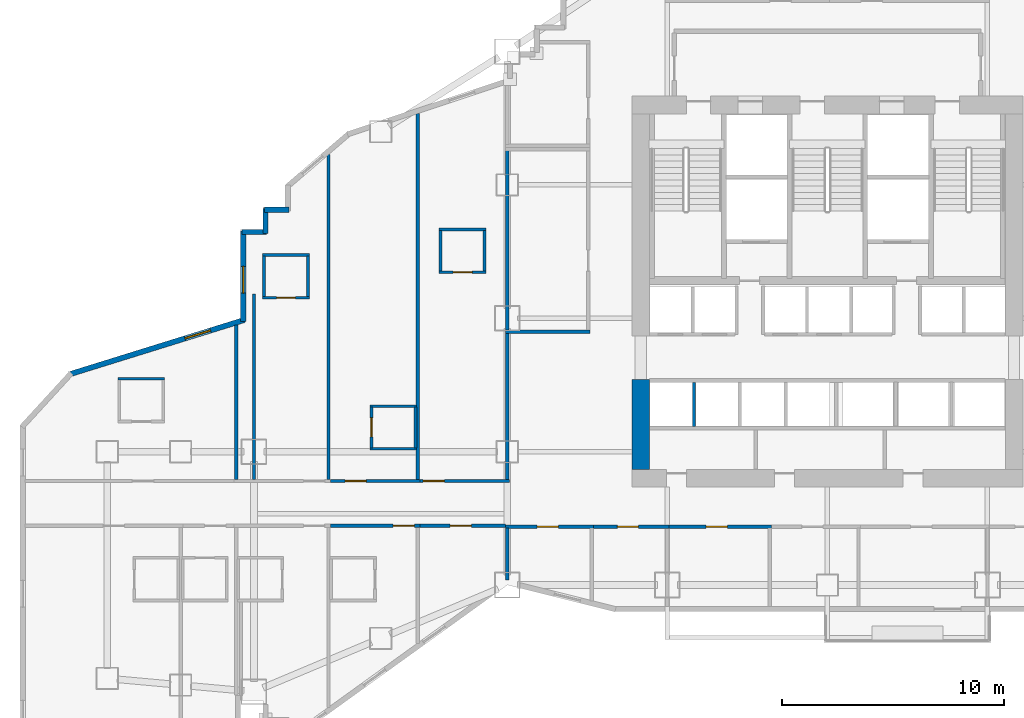
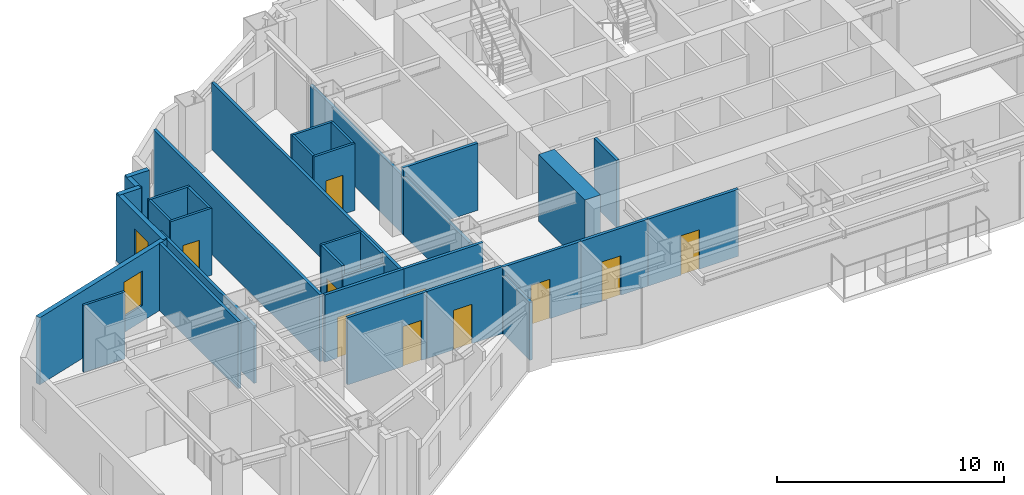
# One storey, part 6 of 16: 35 walls, 10 doors, 2 windows, 12 openings.
"""IFC4 building model written with IfcOpenShell, lengths in metres."""

from ifc_helpers import new_model, si_unit, direction, frame, frame_2d, origin, place, context, subcontext, project, spatial, rectangle, extrude, material, layer, layer_set, type_object, element, fill, save


model = new_model("IFC4")

# Units and contexts
model_context = context("Model", 3, precision=1e-05, world=origin(), true_north=direction((0.0, 1.0)))
body_context = subcontext(model_context, "Body", "Model", "MODEL_VIEW")
ifc_project = project(units=[si_unit("LENGTHUNIT", "METRE"), si_unit("AREAUNIT", "SQUARE_METRE"), si_unit("VOLUMEUNIT", "CUBIC_METRE"), si_unit("PLANEANGLEUNIT", "RADIAN"), si_unit("MASSUNIT", "GRAM", prefix="KILO")], contexts=[model_context])

# Site, building, storey
site_placement = place(None, origin())
site = spatial("IfcSite", under=ifc_project, at=site_placement, CompositionType="ELEMENT")
building_placement = place(site_placement, origin())
building = spatial("IfcBuilding", under=site, at=building_placement, Name="Haolan Belvedere Tower", CompositionType="ELEMENT")
storey_placement = place(building_placement, frame((0.0, 0.0, 47.60009765625)))
storey = spatial("IfcBuildingStorey", under=building, at=storey_placement, Name="L11", CompositionType="ELEMENT", Elevation=47.60009765625)

# Walls
ifc_material_1 = material(Name="Concrete C70/85", Category="concrete")
ifc_layer_1 = layer(ifc_material_1, 0.800048828125, Name="Concrete C70/85")
ifc_layer_set_1 = layer_set([ifc_layer_1], Name="Concrete C70/85")
wall_type_1 = type_object("IfcWallType", Name="WL-CORE-800", PredefinedType="SHEAR", material=ifc_layer_set_1)
wall_1_placement = place(storey_placement, frame((30.0, 26.800048828125, 0.0), z_axis=(0.0, 0.0, 1.0), x_axis=(0.0, 1.0, 0.0)))
element("IfcWall", 1, at=wall_1_placement, inside=storey, type_object=wall_type_1, Name="L11 central core shear wall WS", PredefinedType="SHEAR", context=body_context, shape_type="SweptSolid", body=[
    extrude(rectangle(XDim=4.050048828125, YDim=0.800048828125, at=frame_2d((2.02490234375, 0.0))), origin(), (0.0, 0.0, 1.0), 3.599853515625),
])
ifc_material_2 = material(Name="Precast concrete C40/50", Category="concrete")
ifc_layer_2 = layer(ifc_material_2, 0.239990234375, Name="Precast concrete C40/50")
ifc_layer_set_2 = layer_set([ifc_layer_2], Name="Precast concrete C40/50")
wall_type_2 = type_object("IfcWallType", Name="WL-EXT-240", PredefinedType="SOLIDWALL", material=ifc_layer_set_2)
wall_2_placement = place(storey_placement, frame((14.175048828125, 38.47998046875, 0.0), z_axis=(0.0, 0.0, 1.0), x_axis=(-1.0, 0.0, 0.0)))
element("IfcWall", 2, at=wall_2_placement, inside=storey, type_object=wall_type_2, Name="L11 pale-metal exterior spandrel wall 53.1", PredefinedType="SOLIDWALL", context=body_context, shape_type="SweptSolid", body=[
    extrude(rectangle(XDim=1.110107421875, YDim=0.239990234375, at=frame_2d((0.55517578125, 0.0))), origin(), (0.0, 0.0, 1.0), 3.599853515625),
])
wall_3_placement = place(storey_placement, frame((13.1201171875, 38.534912109375, 0.0), z_axis=(0.0, 0.0, 1.0), x_axis=(0.0, -1.0, 0.0)))
element("IfcWall", 3, at=wall_3_placement, inside=storey, type_object=wall_type_2, Name="L11 pale-metal exterior spandrel wall 54.1", PredefinedType="SOLIDWALL", context=body_context, shape_type="SweptSolid", body=[
    extrude(rectangle(XDim=1.10986328125, YDim=0.239990234375, at=frame_2d((0.554931640625, 0.0))), origin(), (0.0, 0.0, 1.0), 3.599853515625),
])
wall_4_placement = place(storey_placement, frame((13.175048828125, 37.47998046875, 0.0), z_axis=(0.0, 0.0, 1.0), x_axis=(-1.0, 0.0, 0.0)))
element("IfcWall", 4, at=wall_4_placement, inside=storey, type_object=wall_type_2, Name="L11 pale-metal exterior spandrel wall 55.1", PredefinedType="SOLIDWALL", context=body_context, shape_type="SweptSolid", body=[
    extrude(rectangle(XDim=1.110107421875, YDim=0.239990234375, at=frame_2d((0.55517578125, 0.0))), origin(), (0.0, 0.0, 1.0), 3.599853515625),
])

# Wall, opening, window
wall_5_placement = place(storey_placement, frame((12.1201171875, 37.534912109375, 0.0), z_axis=(0.0, 0.0, 1.0), x_axis=(0.0, -1.0, 0.0)))
wall_5 = element("IfcWall", 5, at=wall_5_placement, inside=storey, type_object=wall_type_2, Name="L11 pale-metal exterior spandrel wall 56.1", PredefinedType="SOLIDWALL", context=body_context, shape_type="SweptSolid", body=[
    extrude(rectangle(XDim=4.078369140625, YDim=0.239990234375, at=frame_2d((2.0390625, 0.0))), origin(), (0.0, 0.0, 1.0), 3.599853515625),
])
opening_1_placement = place(wall_5_placement, frame((1.60009765625, 0.0, 0.85009765625)))
opening_1 = element("IfcOpeningElement", 6, at=opening_1_placement, cuts=wall_5, Name="Opening W-01", PredefinedType="OPENING", context=body_context, shape_type="SweptSolid", body=[
    extrude(rectangle(XDim=1.199951171875, YDim=1.85009765625, at=frame_2d((0.60009765625, 0.925048828125))), frame((0.0, 0.1298828125, 0.0), z_axis=(0.0, -1.0, 0.0), x_axis=(1.0, 0.0, 0.0)), (0.0, 0.0, 1.0), 0.260009765625),
])
ifc_material_3 = material(Name="Anodised aluminium 6063-T6 and Low-E glass", Category="aluminium")
window_type = type_object("IfcWindowType", Name="WN-DECO-Z1", PartitioningType="SINGLE_PANEL", PredefinedType="WINDOW", material=ifc_material_3)
window_1_placement = place(opening_1_placement, origin())
window_1 = element("IfcWindow", 7, at=window_1_placement, inside=storey, type_object=window_type, Name="L11 Art Deco chevron window 1", OverallHeight=1.85009765625, OverallWidth=1.199951171875, PartitioningType="SINGLE_PANEL", PredefinedType="WINDOW", context=body_context, shape_type="SweptSolid", body=[
    extrude(rectangle(XDim=1.199951171875, YDim=1.85009765625, at=frame_2d((0.60009765625, 0.925048828125))), frame((0.0, 0.030029296875, 0.0), z_axis=(0.0, -1.0, 0.0), x_axis=(1.0, 0.0, 0.0)), (0.0, 0.0, 1.0), 0.06005859375),
])
fill(opening_1, window_1)

wall_6_placement = place(storey_placement, frame((12.172607421875, 33.52783203125, 0.0), z_axis=(0.0, 0.0, 1.0), x_axis=(-0.954920174609, -0.296862695745, 0.0)))
wall_6 = element("IfcWall", 8, at=wall_6_placement, inside=storey, type_object=wall_type_2, Name="L11 pale-metal exterior spandrel wall 57.1", PredefinedType="SOLIDWALL", context=body_context, shape_type="SweptSolid", body=[
    extrude(rectangle(XDim=8.250244140625, YDim=0.239990234375, at=frame_2d((4.125, 0.0))), origin(), (0.0, 0.0, 1.0), 3.599853515625),
])
opening_2_placement = place(wall_6_placement, frame((1.60009765625, 0.0, 0.85009765625)))
opening_2 = element("IfcOpeningElement", 9, at=opening_2_placement, cuts=wall_6, Name="Opening W-01", PredefinedType="OPENING", context=body_context, shape_type="SweptSolid", body=[
    extrude(rectangle(XDim=1.199951171875, YDim=1.85009765625, at=frame_2d((0.60009765625, 0.925048828125))), frame((0.0, 0.1298828125, 0.0), z_axis=(0.0, -1.0, 0.0), x_axis=(1.0, 0.0, 0.0)), (0.0, 0.0, 1.0), 0.260009765625),
])
window_2_placement = place(opening_2_placement, origin())
window_2 = element("IfcWindow", 10, at=window_2_placement, inside=storey, type_object=window_type, Name="L11 Art Deco chevron window 1", OverallHeight=1.85009765625, OverallWidth=1.199951171875, PartitioningType="SINGLE_PANEL", PredefinedType="WINDOW", context=body_context, shape_type="SweptSolid", body=[
    extrude(rectangle(XDim=1.199951171875, YDim=1.85009765625, at=frame_2d((0.60009765625, 0.925048828125))), frame((0.0, 0.030029296875, 0.0), z_axis=(0.0, -1.0, 0.0), x_axis=(1.0, 0.0, 0.0)), (0.0, 0.0, 1.0), 0.06005859375),
])
fill(opening_2, window_2)

# Walls
ifc_material_4 = material(Name="Double gypsum acoustic stud partition", Category="masonry")
ifc_layer_3 = layer(ifc_material_4, 0.14990234375, Name="Double gypsum acoustic stud partition")
ifc_layer_set_3 = layer_set([ifc_layer_3], Name="Double gypsum acoustic stud partition")
wall_type_3 = type_object("IfcWallType", Name="WL-PART-150", PredefinedType="PARTITIONING", material=ifc_layer_set_3)
wall_7_placement = place(storey_placement, frame((23.919921875, 33.0, 0.0), z_axis=(0.0, 0.0, 1.0), x_axis=(1.0, 0.0, 0.0)))
element("IfcWall", 11, at=wall_7_placement, inside=storey, type_object=wall_type_3, Name="L11 interior partition IW-L11-SAL-S", PredefinedType="PARTITIONING", context=body_context, shape_type="SweptSolid", body=[
    extrude(rectangle(XDim=3.800048828125, YDim=0.14990234375, at=frame_2d((1.89990234375, 0.0))), origin(), (0.0, 0.0, 1.0), 3.599853515625),
])
wall_8_placement = place(storey_placement, frame((24.0, 33.06005859375, 0.0), z_axis=(0.0, 0.0, 1.0), x_axis=(0.0, 1.0, 0.0)))
element("IfcWall", 12, at=wall_8_placement, inside=storey, type_object=wall_type_3, Name="L11 interior partition IW-L11-SAL-W", PredefinedType="PARTITIONING", context=body_context, shape_type="SweptSolid", body=[
    extrude(rectangle(XDim=8.079833984375, YDim=0.14990234375, at=frame_2d((4.0400390625, 0.0))), origin(), (0.0, 0.0, 1.0), 3.096923828125),
])

# Wall, opening, door
wall_9_placement = place(storey_placement, frame((23.919921875, 24.219970703125, 0.0), z_axis=(0.0, 0.0, 1.0), x_axis=(1.0, 0.0, 0.0)))
wall_9 = element("IfcWall", 13, at=wall_9_placement, inside=storey, type_object=wall_type_3, Name="L11 interior partition IW-L11-KS1-N", PredefinedType="PARTITIONING", context=body_context, shape_type="SweptSolid", body=[
    extrude(rectangle(XDim=3.9599609375, YDim=0.14990234375, at=frame_2d((1.97998046875, 0.0))), origin(), (0.0, 0.0, 1.0), 3.599853515625),
])
opening_3_placement = place(wall_9_placement, frame((2.375, 0.0, 0.0), z_axis=(0.0, 0.0, 1.0), x_axis=(-1.0, 0.0, 0.0)))
opening_3 = element("IfcOpeningElement", 14, at=opening_3_placement, cuts=wall_9, Name="Opening ID-03", PredefinedType="OPENING", context=body_context, shape_type="SweptSolid", body=[
    extrude(rectangle(XDim=0.949951171875, YDim=2.1201171875, at=frame_2d((0.47509765625, 1.06005859375))), frame((0.0, 0.0849609375, 0.0), z_axis=(0.0, -1.0, 0.0), x_axis=(1.0, 0.0, 0.0)), (0.0, 0.0, 1.0), 0.169921875),
])
ifc_material_5 = material(Name="Painted solid-core timber", Category="wood")
door_type_1 = type_object("IfcDoorType", Name="DR-INT-950", OperationType="NOTDEFINED", PredefinedType="DOOR", material=ifc_material_5)
door_1_placement = place(opening_3_placement, origin())
door_1 = element("IfcDoor", 15, at=door_1_placement, inside=storey, type_object=door_type_1, Name="L11 door ID-L11-KS1", OperationType="SINGLE_SWING_LEFT", OverallHeight=2.1201171875, OverallWidth=0.949951171875, PredefinedType="DOOR", context=body_context, shape_type="SweptSolid", body=[
    extrude(rectangle(XDim=0.949951171875, YDim=2.1201171875, at=frame_2d((0.47509765625, 1.06005859375))), frame((0.0, 0.02490234375, 0.0), z_axis=(0.0, -1.0, 0.0), x_axis=(1.0, 0.0, 0.0)), (0.0, 0.0, 1.0), 0.050048828125),
])
fill(opening_3, door_1)

# Wall
wall_10_placement = place(storey_placement, frame((24.0, 21.818603515625, 0.0), z_axis=(0.0, 0.0, 1.0), x_axis=(0.0, 1.0, 0.0)))
element("IfcWall", 16, at=wall_10_placement, inside=storey, type_object=wall_type_3, Name="L11 interior partition IW-L11-KS1-W", PredefinedType="PARTITIONING", context=body_context, shape_type="SweptSolid", body=[
    extrude(rectangle(XDim=2.34130859375, YDim=0.14990234375, at=frame_2d((1.170654296875, 0.0))), origin(), (0.0, 0.0, 1.0), 3.096923828125),
])

# Wall, opening, door
wall_11_placement = place(storey_placement, frame((27.882080078125, 24.219970703125, 0.0), z_axis=(0.0, 0.0, 1.0), x_axis=(1.0, 0.0, 0.0)))
wall_11 = element("IfcWall", 17, at=wall_11_placement, inside=storey, type_object=wall_type_3, Name="L11 interior partition IW-L11-KS2-N", PredefinedType="PARTITIONING", context=body_context, shape_type="SweptSolid", body=[
    extrude(rectangle(XDim=3.39794921875, YDim=0.14990234375, at=frame_2d((1.698974609375, 0.0))), origin(), (0.0, 0.0, 1.0), 3.599853515625),
])
opening_4_placement = place(wall_11_placement, frame((2.012939453125, 0.0, 0.0), z_axis=(0.0, 0.0, 1.0), x_axis=(-1.0, 0.0, 0.0)))
opening_4 = element("IfcOpeningElement", 18, at=opening_4_placement, cuts=wall_11, Name="Opening ID-03", PredefinedType="OPENING", context=body_context, shape_type="SweptSolid", body=[
    extrude(rectangle(XDim=0.949951171875, YDim=2.1201171875, at=frame_2d((0.47509765625, 1.06005859375))), frame((0.0, 0.0849609375, 0.0), z_axis=(0.0, -1.0, 0.0), x_axis=(1.0, 0.0, 0.0)), (0.0, 0.0, 1.0), 0.169921875),
])
door_2_placement = place(opening_4_placement, origin())
door_2 = element("IfcDoor", 19, at=door_2_placement, inside=storey, type_object=door_type_1, Name="L11 door ID-L11-KS2", OperationType="SINGLE_SWING_RIGHT", OverallHeight=2.1201171875, OverallWidth=0.949951171875, PredefinedType="DOOR", context=body_context, shape_type="SweptSolid", body=[
    extrude(rectangle(XDim=0.949951171875, YDim=2.1201171875, at=frame_2d((0.47509765625, 1.06005859375))), frame((0.0, 0.02490234375, 0.0), z_axis=(0.0, -1.0, 0.0), x_axis=(1.0, 0.0, 0.0)), (0.0, 0.0, 1.0), 0.050048828125),
])
fill(opening_4, door_2)

wall_12_placement = place(storey_placement, frame((31.281982421875, 24.219970703125, 0.0), z_axis=(0.0, 0.0, 1.0), x_axis=(1.0, 0.0, 0.0)))
wall_12 = element("IfcWall", 20, at=wall_12_placement, inside=storey, type_object=wall_type_3, Name="L11 interior partition IW-L11-KS3-N", PredefinedType="PARTITIONING", context=body_context, shape_type="SweptSolid", body=[
    extrude(rectangle(XDim=4.597900390625, YDim=0.14990234375, at=frame_2d((2.298828125, 0.0))), origin(), (0.0, 0.0, 1.0), 3.599853515625),
])
opening_5_placement = place(wall_12_placement, frame((2.613037109375, 0.0, 0.0), z_axis=(0.0, 0.0, 1.0), x_axis=(-1.0, 0.0, 0.0)))
opening_5 = element("IfcOpeningElement", 21, at=opening_5_placement, cuts=wall_12, Name="Opening ID-03", PredefinedType="OPENING", context=body_context, shape_type="SweptSolid", body=[
    extrude(rectangle(XDim=0.949951171875, YDim=2.1201171875, at=frame_2d((0.47509765625, 1.06005859375))), frame((0.0, 0.0849609375, 0.0), z_axis=(0.0, -1.0, 0.0), x_axis=(1.0, 0.0, 0.0)), (0.0, 0.0, 1.0), 0.169921875),
])
door_3_placement = place(opening_5_placement, origin())
door_3 = element("IfcDoor", 22, at=door_3_placement, inside=storey, type_object=door_type_1, Name="L11 door ID-L11-KS3", OperationType="SINGLE_SWING_LEFT", OverallHeight=2.1201171875, OverallWidth=0.949951171875, PredefinedType="DOOR", context=body_context, shape_type="SweptSolid", body=[
    extrude(rectangle(XDim=0.949951171875, YDim=2.1201171875, at=frame_2d((0.47509765625, 1.06005859375))), frame((0.0, 0.02490234375, 0.0), z_axis=(0.0, -1.0, 0.0), x_axis=(1.0, 0.0, 0.0)), (0.0, 0.0, 1.0), 0.050048828125),
])
fill(opening_5, door_3)

# Walls
wall_13_placement = place(storey_placement, frame((11.800048828125, 26.340087890625, 0.0), z_axis=(0.0, 0.0, 1.0), x_axis=(0.0, 1.0, 0.0)))
element("IfcWall", 23, at=wall_13_placement, inside=storey, type_object=wall_type_3, Name="L11 interior partition IW-L11-T2N1-W", PredefinedType="PARTITIONING", context=body_context, shape_type="SweptSolid", body=[
    extrude(rectangle(XDim=6.9619140625, YDim=0.14990234375, at=frame_2d((3.48095703125, 0.0))), origin(), (0.0, 0.0, 1.0), 3.599853515625),
])
wall_14_placement = place(storey_placement, frame((15.949951171875, 26.340087890625, 0.0), z_axis=(0.0, 0.0, 1.0), x_axis=(0.0, 1.0, 0.0)))
element("IfcWall", 24, at=wall_14_placement, inside=storey, type_object=wall_type_3, Name="L11 interior partition IW-L11-T2N1-E", PredefinedType="PARTITIONING", context=body_context, shape_type="SweptSolid", body=[
    extrude(rectangle(XDim=14.635009765625, YDim=0.14990234375, at=frame_2d((7.3173828125, 0.0))), origin(), (0.0, 0.0, 1.0), 3.599853515625),
])

# Wall, opening, door
wall_15_placement = place(storey_placement, frame((16.052001953125, 26.280029296875, 0.0), z_axis=(0.0, 0.0, 1.0), x_axis=(1.0, 0.0, 0.0)))
wall_15 = element("IfcWall", 25, at=wall_15_placement, inside=storey, type_object=wall_type_3, Name="L11 interior partition IW-L11-T2N2-S", PredefinedType="PARTITIONING", context=body_context, shape_type="SweptSolid", body=[
    extrude(rectangle(XDim=4.01806640625, YDim=0.14990234375, at=frame_2d((2.009033203125, 0.0))), origin(), (0.0, 0.0, 1.0), 3.599853515625),
])
opening_6_placement = place(wall_15_placement, frame((0.6494140625, 0.0, 0.0)))
opening_6 = element("IfcOpeningElement", 26, at=opening_6_placement, cuts=wall_15, Name="Opening ID-01", PredefinedType="OPENING", context=body_context, shape_type="SweptSolid", body=[
    extrude(rectangle(XDim=0.949951171875, YDim=2.179931640625, at=frame_2d((0.47509765625, 1.08984375))), frame((0.0, 0.0849609375, 0.0), z_axis=(0.0, -1.0, 0.0), x_axis=(1.0, 0.0, 0.0)), (0.0, 0.0, 1.0), 0.169921875),
])
ifc_material_6 = material(Name="Acoustic walnut veneer fire-rated timber", Category="wood")
door_type_2 = type_object("IfcDoorType", Name="DR-SUITE-950", OperationType="NOTDEFINED", PredefinedType="DOOR", material=ifc_material_6)
door_4_placement = place(opening_6_placement, origin())
door_4 = element("IfcDoor", 27, at=door_4_placement, inside=storey, type_object=door_type_2, Name="L11 door ID-L11-T2N2-ENT", OperationType="SINGLE_SWING_LEFT", OverallHeight=2.179931640625, OverallWidth=0.949951171875, PredefinedType="DOOR", context=body_context, shape_type="SweptSolid", body=[
    extrude(rectangle(XDim=0.949951171875, YDim=2.179931640625, at=frame_2d((0.47509765625, 1.08984375))), frame((0.0, 0.02490234375, 0.0), z_axis=(0.0, -1.0, 0.0), x_axis=(1.0, 0.0, 0.0)), (0.0, 0.0, 1.0), 0.050048828125),
])
fill(opening_6, door_4)

# Wall
wall_16_placement = place(storey_placement, frame((19.969970703125, 26.340087890625, 0.0), z_axis=(0.0, 0.0, 1.0), x_axis=(0.0, 1.0, 0.0)))
element("IfcWall", 28, at=wall_16_placement, inside=storey, type_object=wall_type_3, Name="L11 interior partition IW-L11-T2N2-E", PredefinedType="PARTITIONING", context=body_context, shape_type="SweptSolid", body=[
    extrude(rectangle(XDim=16.4794921875, YDim=0.14990234375, at=frame_2d((8.23974609375, 0.0))), origin(), (0.0, 0.0, 1.0), 3.599853515625),
])

# Wall, opening, door
wall_17_placement = place(storey_placement, frame((20.072021484375, 26.280029296875, 0.0), z_axis=(0.0, 0.0, 1.0), x_axis=(1.0, 0.0, 0.0)))
wall_17 = element("IfcWall", 29, at=wall_17_placement, inside=storey, type_object=wall_type_3, Name="L11 interior partition IW-L11-T2N3-S", PredefinedType="PARTITIONING", context=body_context, shape_type="SweptSolid", body=[
    extrude(rectangle(XDim=4.028076171875, YDim=0.14990234375, at=frame_2d((2.01416015625, 0.0))), origin(), (0.0, 0.0, 1.0), 3.599853515625),
])
opening_7_placement = place(wall_17_placement, frame((0.139892578125, 0.0, 0.0)))
opening_7 = element("IfcOpeningElement", 30, at=opening_7_placement, cuts=wall_17, Name="Opening ID-01", PredefinedType="OPENING", context=body_context, shape_type="SweptSolid", body=[
    extrude(rectangle(XDim=0.949951171875, YDim=2.179931640625, at=frame_2d((0.47509765625, 1.08984375))), frame((0.0, 0.0849609375, 0.0), z_axis=(0.0, -1.0, 0.0), x_axis=(1.0, 0.0, 0.0)), (0.0, 0.0, 1.0), 0.169921875),
])
door_5_placement = place(opening_7_placement, origin())
door_5 = element("IfcDoor", 31, at=door_5_placement, inside=storey, type_object=door_type_2, Name="L11 door ID-L11-T2N3-ENT", OperationType="SINGLE_SWING_RIGHT", OverallHeight=2.179931640625, OverallWidth=0.949951171875, PredefinedType="DOOR", context=body_context, shape_type="SweptSolid", body=[
    extrude(rectangle(XDim=0.949951171875, YDim=2.179931640625, at=frame_2d((0.47509765625, 1.08984375))), frame((0.0, 0.02490234375, 0.0), z_axis=(0.0, -1.0, 0.0), x_axis=(1.0, 0.0, 0.0)), (0.0, 0.0, 1.0), 0.050048828125),
])
fill(opening_7, door_5)

# Wall
wall_18_placement = place(storey_placement, frame((24.0, 26.340087890625, 0.0), z_axis=(0.0, 0.0, 1.0), x_axis=(0.0, 1.0, 0.0)))
element("IfcWall", 32, at=wall_18_placement, inside=storey, type_object=wall_type_3, Name="L11 interior partition IW-L11-T2N3-E", PredefinedType="PARTITIONING", context=body_context, shape_type="SweptSolid", body=[
    extrude(rectangle(XDim=6.599853515625, YDim=0.14990234375, at=frame_2d((3.2998046875, 0.0))), origin(), (0.0, 0.0, 1.0), 3.096923828125),
])

# Wall, opening, door
wall_19_placement = place(storey_placement, frame((16.052001953125, 24.27001953125, 0.0), z_axis=(0.0, 0.0, 1.0), x_axis=(1.0, 0.0, 0.0)))
wall_19 = element("IfcWall", 33, at=wall_19_placement, inside=storey, type_object=wall_type_3, Name="L11 interior partition IW-L11-T2S2-N", PredefinedType="PARTITIONING", context=body_context, shape_type="SweptSolid", body=[
    extrude(rectangle(XDim=4.01806640625, YDim=0.14990234375, at=frame_2d((2.009033203125, 0.0))), origin(), (0.0, 0.0, 1.0), 3.599853515625),
])
opening_8_placement = place(wall_19_placement, frame((3.759765625, 0.0, 0.0), z_axis=(0.0, 0.0, 1.0), x_axis=(-1.0, 0.0, 0.0)))
opening_8 = element("IfcOpeningElement", 34, at=opening_8_placement, cuts=wall_19, Name="Opening ID-02", PredefinedType="OPENING", context=body_context, shape_type="SweptSolid", body=[
    extrude(rectangle(XDim=0.949951171875, YDim=2.14990234375, at=frame_2d((0.47509765625, 1.074951171875))), frame((0.0, 0.0849609375, 0.0), z_axis=(0.0, -1.0, 0.0), x_axis=(1.0, 0.0, 0.0)), (0.0, 0.0, 1.0), 0.169921875),
])
ifc_material_7 = material(Name="Acoustic oak veneer fire-rated timber", Category="wood")
door_type_3 = type_object("IfcDoorType", Name="DR-GUEST-950", OperationType="NOTDEFINED", PredefinedType="DOOR", material=ifc_material_7)
door_6_placement = place(opening_8_placement, origin())
door_6 = element("IfcDoor", 35, at=door_6_placement, inside=storey, type_object=door_type_3, Name="L11 door ID-L11-T2S2-ENT", OperationType="SINGLE_SWING_RIGHT", OverallHeight=2.14990234375, OverallWidth=0.949951171875, PredefinedType="DOOR", context=body_context, shape_type="SweptSolid", body=[
    extrude(rectangle(XDim=0.949951171875, YDim=2.14990234375, at=frame_2d((0.47509765625, 1.074951171875))), frame((0.0, 0.02490234375, 0.0), z_axis=(0.0, -1.0, 0.0), x_axis=(1.0, 0.0, 0.0)), (0.0, 0.0, 1.0), 0.050048828125),
])
fill(opening_8, door_6)

wall_20_placement = place(storey_placement, frame((20.072021484375, 24.27001953125, 0.0), z_axis=(0.0, 0.0, 1.0), x_axis=(1.0, 0.0, 0.0)))
wall_20 = element("IfcWall", 36, at=wall_20_placement, inside=storey, type_object=wall_type_3, Name="L11 interior partition IW-L11-T2S3-N", PredefinedType="PARTITIONING", context=body_context, shape_type="SweptSolid", body=[
    extrude(rectangle(XDim=3.845947265625, YDim=0.14990234375, at=frame_2d((1.9228515625, 0.0))), origin(), (0.0, 0.0, 1.0), 3.599853515625),
])
opening_9_placement = place(wall_20_placement, frame((2.307861328125, 0.0, 0.0), z_axis=(0.0, 0.0, 1.0), x_axis=(-1.0, 0.0, 0.0)))
opening_9 = element("IfcOpeningElement", 37, at=opening_9_placement, cuts=wall_20, Name="Opening ID-03", PredefinedType="OPENING", context=body_context, shape_type="SweptSolid", body=[
    extrude(rectangle(XDim=0.949951171875, YDim=2.1201171875, at=frame_2d((0.47509765625, 1.06005859375))), frame((0.0, 0.0849609375, 0.0), z_axis=(0.0, -1.0, 0.0), x_axis=(1.0, 0.0, 0.0)), (0.0, 0.0, 1.0), 0.169921875),
])
door_7_placement = place(opening_9_placement, origin())
door_7 = element("IfcDoor", 38, at=door_7_placement, inside=storey, type_object=door_type_1, Name="L11 door ID-L11-T2S3", OperationType="SINGLE_SWING_LEFT", OverallHeight=2.1201171875, OverallWidth=0.949951171875, PredefinedType="DOOR", context=body_context, shape_type="SweptSolid", body=[
    extrude(rectangle(XDim=0.949951171875, YDim=2.1201171875, at=frame_2d((0.47509765625, 1.06005859375))), frame((0.0, 0.02490234375, 0.0), z_axis=(0.0, -1.0, 0.0), x_axis=(1.0, 0.0, 0.0)), (0.0, 0.0, 1.0), 0.050048828125),
])
fill(opening_9, door_7)

# Walls
wall_21_placement = place(storey_placement, frame((12.60009765625, 26.340087890625, 0.0), z_axis=(0.0, 0.0, 1.0), x_axis=(0.0, 1.0, 0.0)))
element("IfcWall", 39, at=wall_21_placement, inside=storey, type_object=wall_type_3, Name="L11 interior partition IW-L11-T1N1-E", PredefinedType="PARTITIONING", context=body_context, shape_type="SweptSolid", body=[
    extrude(rectangle(XDim=8.35986328125, YDim=0.14990234375, at=frame_2d((4.179931640625, 0.0))), origin(), (0.0, 0.0, 1.0), 3.096923828125),
])
ifc_material_8 = material(Name="Gypsum fire shaftwall assembly", Category="masonry")
ifc_layer_4 = layer(ifc_material_8, 0.1650390625, Name="Gypsum fire shaftwall assembly")
ifc_layer_set_4 = layer_set([ifc_layer_4], Name="Gypsum fire shaftwall assembly")
wall_type_4 = type_object("IfcWallType", Name="WL-SHAFT-160", PredefinedType="SOLIDWALL", material=ifc_layer_set_4)
wall_22_placement = place(storey_placement, frame((32.39990234375, 28.735107421875, 0.0), z_axis=(0.0, 0.0, 1.0), x_axis=(0.0, 1.0, 0.0)))
element("IfcWall", 40, at=wall_22_placement, inside=storey, type_object=wall_type_4, Name="L11 interior partition IW-L11-DIV-PM1", PredefinedType="SOLIDWALL", context=body_context, shape_type="SweptSolid", body=[
    extrude(rectangle(XDim=1.98486328125, YDim=0.14990234375, at=frame_2d((0.992431640625, 0.0))), origin(), (0.0, 0.0, 1.0), 3.599853515625),
])
ifc_material_9 = material(Name="Moisture-resistant gypsum tile partition", Category="masonry")
ifc_layer_5 = layer(ifc_material_9, 0.1201171875, Name="Moisture-resistant gypsum tile partition")
ifc_layer_set_5 = layer_set([ifc_layer_5], Name="Moisture-resistant gypsum tile partition")
wall_type_5 = type_object("IfcWallType", Name="WL-WET-120", PredefinedType="PARTITIONING", material=ifc_layer_set_5)
wall_23_placement = place(storey_placement, frame((12.989990234375, 36.447021484375, 0.0), z_axis=(0.0, 0.0, 1.0), x_axis=(1.0, 0.0, 0.0)))
element("IfcWall", 41, at=wall_23_placement, inside=storey, type_object=wall_type_5, Name="L11 interior partition IW-L11-T2N1-BN", PredefinedType="PARTITIONING", context=body_context, shape_type="SweptSolid", body=[
    extrude(rectangle(XDim=2.10009765625, YDim=0.1201171875, at=frame_2d((1.050048828125, 0.0))), origin(), (0.0, 0.0, 1.0), 3.599853515625),
])

# Wall, opening, door
wall_24_placement = place(storey_placement, frame((12.989990234375, 34.527099609375, 0.0), z_axis=(0.0, 0.0, 1.0), x_axis=(1.0, 0.0, 0.0)))
wall_24 = element("IfcWall", 42, at=wall_24_placement, inside=storey, type_object=wall_type_5, Name="L11 interior partition IW-L11-T2N1-BS", PredefinedType="PARTITIONING", context=body_context, shape_type="SweptSolid", body=[
    extrude(rectangle(XDim=2.10009765625, YDim=0.1201171875, at=frame_2d((1.050048828125, 0.0))), origin(), (0.0, 0.0, 1.0), 3.599853515625),
])
opening_10_placement = place(wall_24_placement, frame((0.625, 0.0, 0.0)))
opening_10 = element("IfcOpeningElement", 43, at=opening_10_placement, cuts=wall_24, Name="Opening ID-05", PredefinedType="OPENING", context=body_context, shape_type="SweptSolid", body=[
    extrude(rectangle(XDim=0.85009765625, YDim=2.10009765625, at=frame_2d((0.425048828125, 1.050048828125))), frame((0.0, 0.070068359375, 0.0), z_axis=(0.0, -1.0, 0.0), x_axis=(1.0, 0.0, 0.0)), (0.0, 0.0, 1.0), 0.14013671875),
])
ifc_material_10 = material(Name="Moisture-resistant lacquered timber", Category="wood")
door_type_4 = type_object("IfcDoorType", Name="DR-BATH-850", OperationType="NOTDEFINED", PredefinedType="DOOR", material=ifc_material_10)
door_8_placement = place(opening_10_placement, origin())
door_8 = element("IfcDoor", 44, at=door_8_placement, inside=storey, type_object=door_type_4, Name="L11 door ID-L11-T2N1-BATH", OperationType="SINGLE_SWING_LEFT", OverallHeight=2.10009765625, OverallWidth=0.85009765625, PredefinedType="DOOR", context=body_context, shape_type="SweptSolid", body=[
    extrude(rectangle(XDim=0.85009765625, YDim=2.10009765625, at=frame_2d((0.425048828125, 1.050048828125))), frame((0.0, 0.02490234375, 0.0), z_axis=(0.0, -1.0, 0.0), x_axis=(1.0, 0.0, 0.0)), (0.0, 0.0, 1.0), 0.050048828125),
])
fill(opening_10, door_8)

# Walls
for number, where, z_axis, x_axis, name in (
    (45, (13.050048828125, 34.572021484375, 0.0), (0.0, 0.0, 1.0), (0.0, 1.0, 0.0), "L11 interior partition IW-L11-T2N1-BW"),
    (46, (15.030029296875, 34.572021484375, 0.0), (0.0, 0.0, 1.0), (0.0, 1.0, 0.0), "L11 interior partition IW-L11-T2N1-BE"),
):
    element("IfcWall", number, at=place(storey_placement, frame(where, z_axis=z_axis, x_axis=x_axis)), inside=storey, type_object=wall_type_5, Name=name, PredefinedType="PARTITIONING", context=body_context, shape_type="SweptSolid", body=[
        extrude(rectangle(XDim=1.830078125, YDim=0.1201171875, at=frame_2d((0.9150390625, 0.0))), origin(), (0.0, 0.0, 1.0), 3.599853515625),
    ])
wall_25_placement = place(storey_placement, frame((17.830078125, 29.64990234375, 0.0), z_axis=(0.0, 0.0, 1.0), x_axis=(1.0, 0.0, 0.0)))
element("IfcWall", 47, at=wall_25_placement, inside=storey, type_object=wall_type_5, Name="L11 interior partition IW-L11-T2N2-BN", PredefinedType="PARTITIONING", context=body_context, shape_type="SweptSolid", body=[
    extrude(rectangle(XDim=2.079833984375, YDim=0.1201171875, at=frame_2d((1.0400390625, 0.0))), origin(), (0.0, 0.0, 1.0), 3.599853515625),
])
wall_26_placement = place(storey_placement, frame((17.830078125, 27.72998046875, 0.0), z_axis=(0.0, 0.0, 1.0), x_axis=(1.0, 0.0, 0.0)))
element("IfcWall", 48, at=wall_26_placement, inside=storey, type_object=wall_type_5, Name="L11 interior partition IW-L11-T2N2-BS", PredefinedType="PARTITIONING", context=body_context, shape_type="SweptSolid", body=[
    extrude(rectangle(XDim=2.079833984375, YDim=0.1201171875, at=frame_2d((1.0400390625, 0.0))), origin(), (0.0, 0.0, 1.0), 3.096923828125),
])

# Wall, opening, door
wall_27_placement = place(storey_placement, frame((17.889892578125, 27.77490234375, 0.0), z_axis=(0.0, 0.0, 1.0), x_axis=(0.0, 1.0, 0.0)))
wall_27 = element("IfcWall", 49, at=wall_27_placement, inside=storey, type_object=wall_type_5, Name="L11 interior partition IW-L11-T2N2-BW", PredefinedType="PARTITIONING", context=body_context, shape_type="SweptSolid", body=[
    extrude(rectangle(XDim=1.830078125, YDim=0.1201171875, at=frame_2d((0.9150390625, 0.0))), origin(), (0.0, 0.0, 1.0), 3.599853515625),
])
opening_11_placement = place(wall_27_placement, frame((1.340087890625, 0.0, 0.0), z_axis=(0.0, 0.0, 1.0), x_axis=(-1.0, 0.0, 0.0)))
opening_11 = element("IfcOpeningElement", 50, at=opening_11_placement, cuts=wall_27, Name="Opening ID-05", PredefinedType="OPENING", context=body_context, shape_type="SweptSolid", body=[
    extrude(rectangle(XDim=0.85009765625, YDim=2.10009765625, at=frame_2d((0.425048828125, 1.050048828125))), frame((0.0, 0.070068359375, 0.0), z_axis=(0.0, -1.0, 0.0), x_axis=(1.0, 0.0, 0.0)), (0.0, 0.0, 1.0), 0.14013671875),
])
door_9_placement = place(opening_11_placement, origin())
door_9 = element("IfcDoor", 51, at=door_9_placement, inside=storey, type_object=door_type_4, Name="L11 door ID-L11-T2N2-BATH", OperationType="SINGLE_SWING_RIGHT", OverallHeight=2.10009765625, OverallWidth=0.85009765625, PredefinedType="DOOR", context=body_context, shape_type="SweptSolid", body=[
    extrude(rectangle(XDim=0.85009765625, YDim=2.10009765625, at=frame_2d((0.425048828125, 1.050048828125))), frame((0.0, 0.02490234375, 0.0), z_axis=(0.0, -1.0, 0.0), x_axis=(1.0, 0.0, 0.0)), (0.0, 0.0, 1.0), 0.050048828125),
])
fill(opening_11, door_9)

# Walls
wall_28_placement = place(storey_placement, frame((19.8701171875, 27.77490234375, 0.0), z_axis=(0.0, 0.0, 1.0), x_axis=(0.0, 1.0, 0.0)))
element("IfcWall", 52, at=wall_28_placement, inside=storey, type_object=wall_type_5, Name="L11 interior partition IW-L11-T2N2-BE", PredefinedType="PARTITIONING", context=body_context, shape_type="SweptSolid", body=[
    extrude(rectangle(XDim=1.830078125, YDim=0.1201171875, at=frame_2d((0.9150390625, 0.0))), origin(), (0.0, 0.0, 1.0), 3.599853515625),
])
wall_29_placement = place(storey_placement, frame((20.93505859375, 37.597900390625, 0.0), z_axis=(0.0, 0.0, 1.0), x_axis=(1.0, 0.0, 0.0)))
element("IfcWall", 53, at=wall_29_placement, inside=storey, type_object=wall_type_5, Name="L11 interior partition IW-L11-T2N3-BN", PredefinedType="PARTITIONING", context=body_context, shape_type="SweptSolid", body=[
    extrude(rectangle(XDim=2.099853515625, YDim=0.1201171875, at=frame_2d((1.0498046875, 0.0))), origin(), (0.0, 0.0, 1.0), 3.599853515625),
])

# Wall, opening, door
wall_30_placement = place(storey_placement, frame((20.93505859375, 35.677978515625, 0.0), z_axis=(0.0, 0.0, 1.0), x_axis=(1.0, 0.0, 0.0)))
wall_30 = element("IfcWall", 54, at=wall_30_placement, inside=storey, type_object=wall_type_5, Name="L11 interior partition IW-L11-T2N3-BS", PredefinedType="PARTITIONING", context=body_context, shape_type="SweptSolid", body=[
    extrude(rectangle(XDim=2.099853515625, YDim=0.1201171875, at=frame_2d((1.0498046875, 0.0))), origin(), (0.0, 0.0, 1.0), 3.599853515625),
])
opening_12_placement = place(wall_30_placement, frame((0.625, 0.0, 0.0)))
opening_12 = element("IfcOpeningElement", 55, at=opening_12_placement, cuts=wall_30, Name="Opening ID-05", PredefinedType="OPENING", context=body_context, shape_type="SweptSolid", body=[
    extrude(rectangle(XDim=0.85009765625, YDim=2.10009765625, at=frame_2d((0.425048828125, 1.050048828125))), frame((0.0, 0.070068359375, 0.0), z_axis=(0.0, -1.0, 0.0), x_axis=(1.0, 0.0, 0.0)), (0.0, 0.0, 1.0), 0.14013671875),
])
door_10_placement = place(opening_12_placement, origin())
door_10 = element("IfcDoor", 56, at=door_10_placement, inside=storey, type_object=door_type_4, Name="L11 door ID-L11-T2N3-BATH", OperationType="SINGLE_SWING_LEFT", OverallHeight=2.10009765625, OverallWidth=0.85009765625, PredefinedType="DOOR", context=body_context, shape_type="SweptSolid", body=[
    extrude(rectangle(XDim=0.85009765625, YDim=2.10009765625, at=frame_2d((0.425048828125, 1.050048828125))), frame((0.0, 0.02490234375, 0.0), z_axis=(0.0, -1.0, 0.0), x_axis=(1.0, 0.0, 0.0)), (0.0, 0.0, 1.0), 0.050048828125),
])
fill(opening_12, door_10)

# Walls
for number, where, z_axis, x_axis, name in (
    (57, (20.9951171875, 35.722900390625, 0.0), (0.0, 0.0, 1.0), (0.0, 1.0, 0.0), "L11 interior partition IW-L11-T2N3-BW"),
    (58, (22.97509765625, 35.722900390625, 0.0), (0.0, 0.0, 1.0), (0.0, 1.0, 0.0), "L11 interior partition IW-L11-T2N3-BE"),
):
    element("IfcWall", number, at=place(storey_placement, frame(where, z_axis=z_axis, x_axis=x_axis)), inside=storey, type_object=wall_type_5, Name=name, PredefinedType="PARTITIONING", context=body_context, shape_type="SweptSolid", body=[
        extrude(rectangle(XDim=1.830078125, YDim=0.1201171875, at=frame_2d((0.9150390625, 0.0))), origin(), (0.0, 0.0, 1.0), 3.599853515625),
    ])
wall_31_placement = place(storey_placement, frame((6.48291015625, 30.8779296875, 0.0), z_axis=(0.0, 0.0, 1.0), x_axis=(1.0, 0.0, 0.0)))
element("IfcWall", 59, at=wall_31_placement, inside=storey, type_object=wall_type_5, Name="L11 interior partition IW-L11-T1N1-BN", PredefinedType="PARTITIONING", context=body_context, shape_type="SweptSolid", body=[
    extrude(rectangle(XDim=2.10009765625, YDim=0.1201171875, at=frame_2d((1.050048828125, 0.0))), origin(), (0.0, 0.0, 1.0), 3.599853515625),
])

save(model, "model.ifc")
